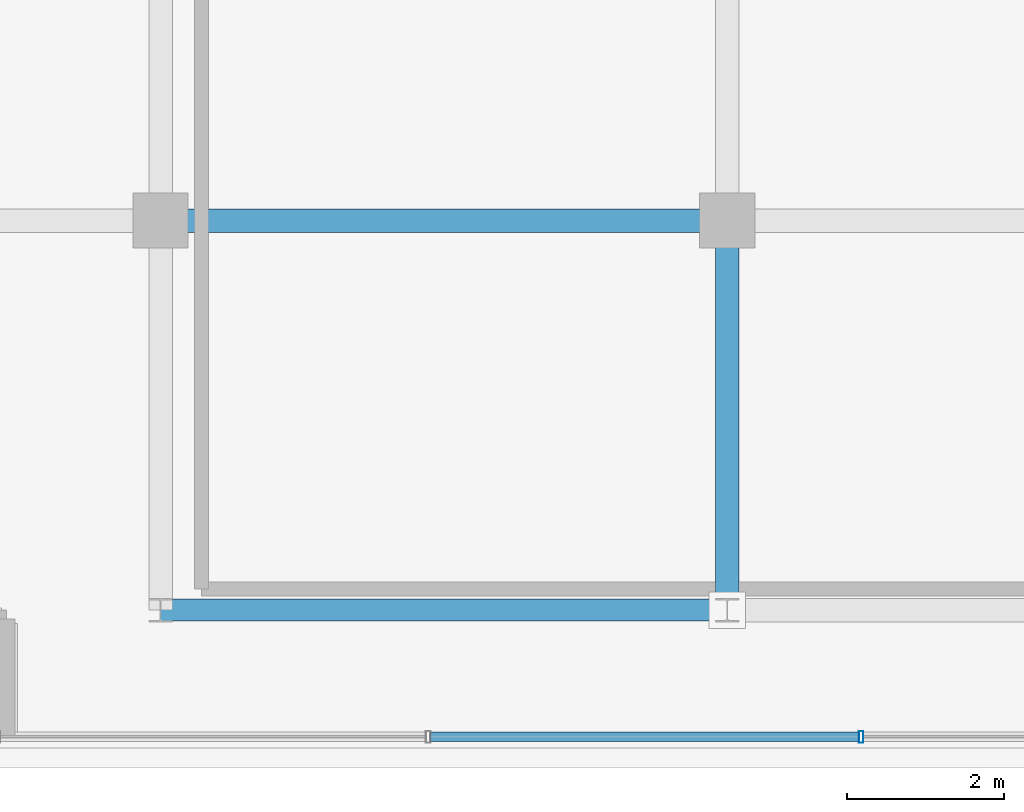
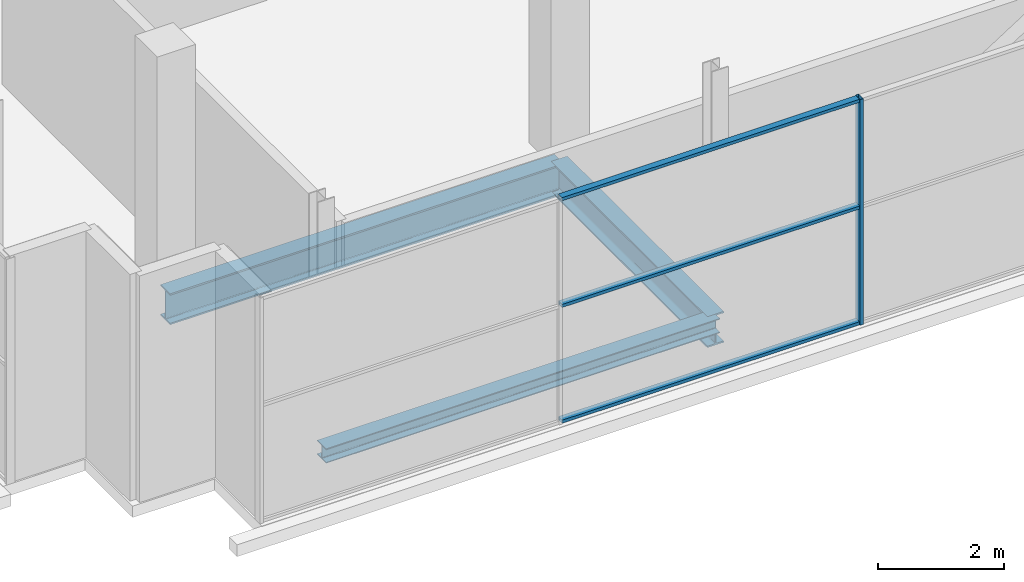
# One storey, part 4 of 26: 4 members, 3 beams, 1 element without a shape of its own.
"""IFC4 building model written with IfcOpenShell, lengths in metres."""

from ifc_helpers import new_model, si_unit, direction, frame, origin, origin_2d, place, context, subcontext, project, spatial, hollow_rectangle, i_section, extrude, source, transform, mapped, material, layer, layer_set, material_profile, profile_set, type_object, element, aggregate, save


model = new_model("IFC4")

# Units and contexts
model_context = context("Model", 3, precision=1e-05, world=origin(), true_north=direction((0.0, 1.0)))
body_context = subcontext(model_context, "Body", "Model", "MODEL_VIEW")
ifc_project = project(units=[si_unit("LENGTHUNIT", "METRE"), si_unit("AREAUNIT", "SQUARE_METRE"), si_unit("VOLUMEUNIT", "CUBIC_METRE"), si_unit("PLANEANGLEUNIT", "RADIAN"), si_unit("MASSUNIT", "GRAM", prefix="KILO")], contexts=[model_context])

# Site, building, storey
site_placement = place(None, origin())
site = spatial("IfcSite", under=ifc_project, at=site_placement, CompositionType="ELEMENT")
building_placement = place(site_placement, origin())
building = spatial("IfcBuilding", under=site, at=building_placement, Name="Zarnakvel Exchange Tower", CompositionType="ELEMENT")
storey_placement = place(building_placement, frame((0.0, 0.0, 280.800048828125)))
storey = spatial("IfcBuildingStorey", under=building, at=storey_placement, Name="Crown L79", CompositionType="ELEMENT", Elevation=280.800048828125)

# Beams
ifc_material_1 = material(Name="Steel S355", Category="steel")
ifc_material_profile_1 = material_profile(ifc_material_1, i_section(OverallWidth=0.300048828125, OverallDepth=0.60009765625, WebThickness=0.015380859375, FlangeThickness=0.030029296875, FilletRadius=0.027099609375, at=origin_2d()))
ifc_profile_set_1 = profile_set([ifc_material_profile_1], Name="Steel S355")
beam_type_1 = type_object("IfcBeamType", Name="G-04", PredefinedType="BEAM", material=ifc_profile_set_1)
beam_1_placement = place(storey_placement, frame((-14.39990234375, -9.60009765625, -0.52001953125), z_axis=(1.0, 0.0, 0.0), x_axis=(0.0, 1.0, 0.0)))
element("IfcBeam", 1, at=beam_1_placement, inside=storey, type_object=beam_type_1, Name="Crown L79 Tower E-W Frame Beam", PredefinedType="BEAM", context=body_context, shape_type="SweptSolid", body=[
    extrude(i_section(OverallWidth=0.300048828125, OverallDepth=0.60009765625, WebThickness=0.015380859375, FlangeThickness=0.030029296875, FilletRadius=0.027099609375, at=origin_2d()), origin(), (0.0, 0.0, 1.0), 7.199951171875),
])
beam_2_placement = place(storey_placement, frame((-7.199951171875, -14.550048828125, -0.52001953125), z_axis=(0.0, 1.0, 0.0), x_axis=(-1.0, 0.0, 0.0)))
element("IfcBeam", 2, at=beam_2_placement, inside=storey, type_object=beam_type_1, Name="Crown L79 Tower N-S Frame Beam", PredefinedType="BEAM", context=body_context, shape_type="SweptSolid", body=[
    extrude(i_section(OverallWidth=0.300048828125, OverallDepth=0.60009765625, WebThickness=0.015380859375, FlangeThickness=0.030029296875, FilletRadius=0.027099609375, at=origin_2d()), origin(), (0.0, 0.0, 1.0), 4.949951171875),
])
ifc_material_profile_2 = material_profile(ifc_material_1, i_section(OverallWidth=0.280029296875, OverallDepth=0.280029296875, WebThickness=0.010498046875, FlangeThickness=0.01806640625, FilletRadius=0.02392578125, at=origin_2d()))
ifc_profile_set_2 = profile_set([ifc_material_profile_2], Name="Steel S355")
beam_type_2 = type_object("IfcBeamType", Name="SP-04", PredefinedType="SPANDREL", material=ifc_profile_set_2)
beam_3_placement = place(storey_placement, frame((-14.39990234375, -14.550048828125, -0.360107421875), z_axis=(1.0, 0.0, 0.0), x_axis=(0.0, 1.0, 0.0)))
element("IfcBeam", 3, at=beam_3_placement, inside=storey, type_object=beam_type_2, Name="Crown L79 Tower E-W Frame Beam", PredefinedType="SPANDREL", context=body_context, shape_type="SweptSolid", body=[
    extrude(i_section(OverallWidth=0.280029296875, OverallDepth=0.280029296875, WebThickness=0.010498046875, FlangeThickness=0.01806640625, FilletRadius=0.02392578125, at=origin_2d()), origin(), (0.0, 0.0, 1.0), 7.199951171875),
])

# Curtain wall, members
ifc_material_2 = material(Name="Architectural Bronze Anodised Aluminium", Category="aluminium")
ifc_layer = layer(ifc_material_2, 0.14990234375)
ifc_layer_set = layer_set([ifc_layer], Name="Architectural Bronze Anodised Aluminium")
curtain_wall_type = type_object("IfcCurtainWallType", Name="CW-07", PredefinedType="NOTDEFINED", material=ifc_layer_set)
curtain_wall_placement = place(storey_placement, origin())
curtain_wall = element("IfcCurtainWall", 4, at=curtain_wall_placement, inside=storey, type_object=curtain_wall_type, Name="Crown L79 Curtain Wall CW-Crown L79-S (CW-07)", PredefinedType="NOTDEFINED")
ifc_material_profile_3 = material_profile(ifc_material_2, hollow_rectangle(XDim=0.14990234375, YDim=0.06005859375, WallThickness=0.00390625, at=origin_2d()))
ifc_profile_set_3 = profile_set([ifc_material_profile_3], Name="Architectural Bronze Anodised Aluminium")
member_type_1 = type_object("IfcMemberType", Name="CWM-07", PredefinedType="MULLION", material=ifc_profile_set_3)
shared_shape_1 = source(origin(), body_context, "Body", "SweptSolid", [
    extrude(hollow_rectangle(XDim=0.14990234375, YDim=0.06005859375, WallThickness=0.00390625, at=origin_2d()), origin(), (0.0, 0.0, 1.0), 4.35986328125),
])
member_1_placement = place(storey_placement, frame((-5.5, -16.159912109375, 0.0), z_axis=(0.0, 0.0, 1.0), x_axis=(0.0, 1.0, 0.0)))
member_1 = element("IfcMember", 5, at=member_1_placement, type_object=member_type_1, Name="CW-07 mullion 3", PredefinedType="MULLION", context=body_context, shape_type="MappedRepresentation", body=[
    mapped(shared_shape_1, transform((0.0, 0.0, 0.0), x_axis=(1.0, 0.0, 0.0), y_axis=(0.0, 1.0, 0.0), z_axis=(0.0, 0.0, 1.0), scale=1.0)),
])
ifc_material_profile_4 = material_profile(ifc_material_2, hollow_rectangle(XDim=0.1201171875, YDim=0.06005859375, WallThickness=0.00390625, at=origin_2d()))
ifc_profile_set_4 = profile_set([ifc_material_profile_4], Name="Architectural Bronze Anodised Aluminium")
member_type_2 = type_object("IfcMemberType", Name="CWT-07", PredefinedType="USERDEFINED", material=ifc_profile_set_4)
shared_shape_2 = source(origin(), body_context, "Body", "SweptSolid", [
    extrude(hollow_rectangle(XDim=0.1201171875, YDim=0.06005859375, WallThickness=0.00390625, at=origin_2d()), origin(), (0.0, 0.0, 1.0), 5.43994140625),
])
member_2_placement = place(storey_placement, frame((-10.969970703125, -16.159912109375, 0.030029296875), z_axis=(1.0, 0.0, 0.0), x_axis=(0.0, 1.0, 0.0)))
member_2 = element("IfcMember", 6, at=member_2_placement, type_object=member_type_2, Name="CW-07 transom 2.1", ObjectType="TRANSOM", PredefinedType="USERDEFINED", context=body_context, shape_type="MappedRepresentation", body=[
    mapped(shared_shape_2, transform((0.0, 0.0, 0.0), x_axis=(1.0, 0.0, 0.0), y_axis=(0.0, 1.0, 0.0), z_axis=(0.0, 0.0, 1.0), scale=1.0)),
])
member_3_placement = place(storey_placement, frame((-10.969970703125, -16.159912109375, 2.26708984375), z_axis=(1.0, 0.0, 0.0), x_axis=(0.0, 1.0, 0.0)))
member_3 = element("IfcMember", 7, at=member_3_placement, type_object=member_type_2, Name="CW-07 transom 2.2", ObjectType="TRANSOM", PredefinedType="USERDEFINED", context=body_context, shape_type="MappedRepresentation", body=[
    mapped(shared_shape_2, transform((0.0, 0.0, 0.0), x_axis=(1.0, 0.0, 0.0), y_axis=(0.0, 1.0, 0.0), z_axis=(0.0, 0.0, 1.0), scale=1.0)),
])
member_4_placement = place(storey_placement, frame((-10.969970703125, -16.159912109375, 4.329833984375), z_axis=(1.0, 0.0, 0.0), x_axis=(0.0, 1.0, 0.0)))
member_4 = element("IfcMember", 8, at=member_4_placement, type_object=member_type_2, Name="CW-07 transom 2.3", ObjectType="TRANSOM", PredefinedType="USERDEFINED", context=body_context, shape_type="MappedRepresentation", body=[
    mapped(shared_shape_2, transform((0.0, 0.0, 0.0), x_axis=(1.0, 0.0, 0.0), y_axis=(0.0, 1.0, 0.0), z_axis=(0.0, 0.0, 1.0), scale=1.0)),
])
aggregate(curtain_wall, [member_1, member_2, member_3, member_4])

save(model, "model.ifc")
